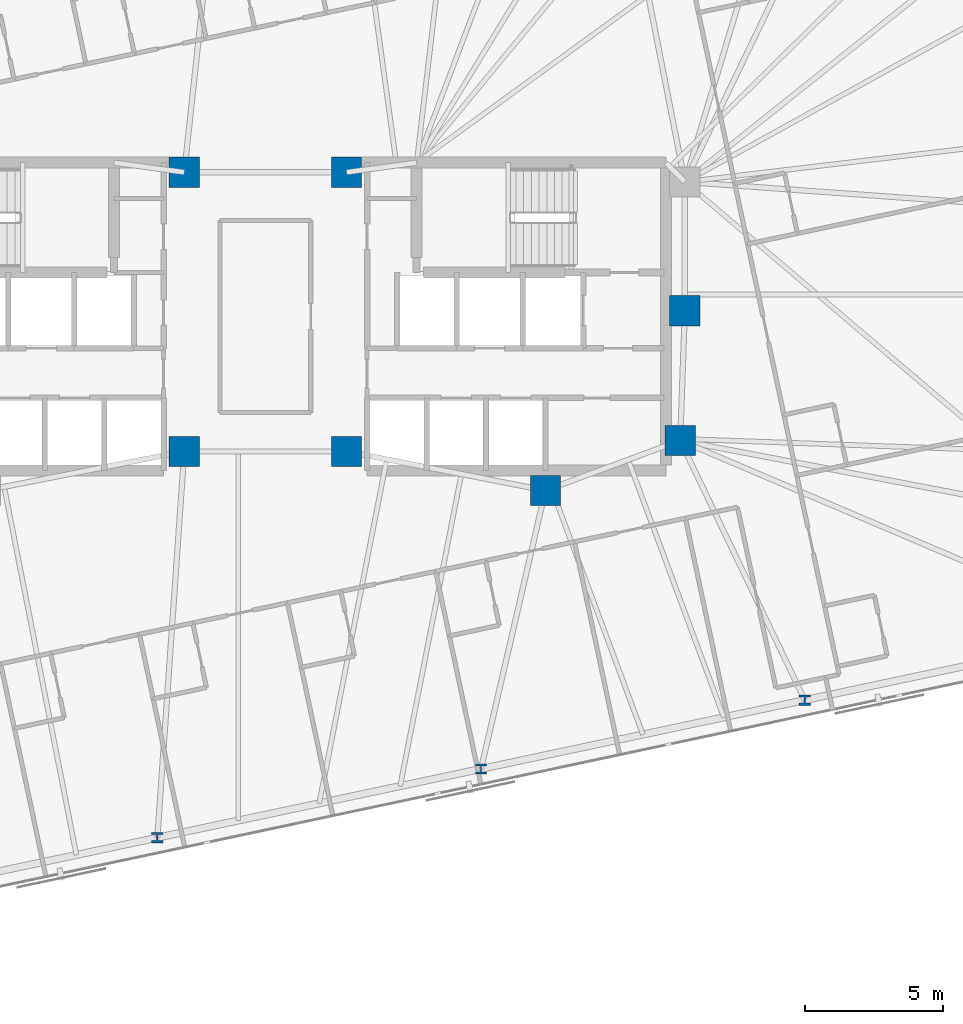
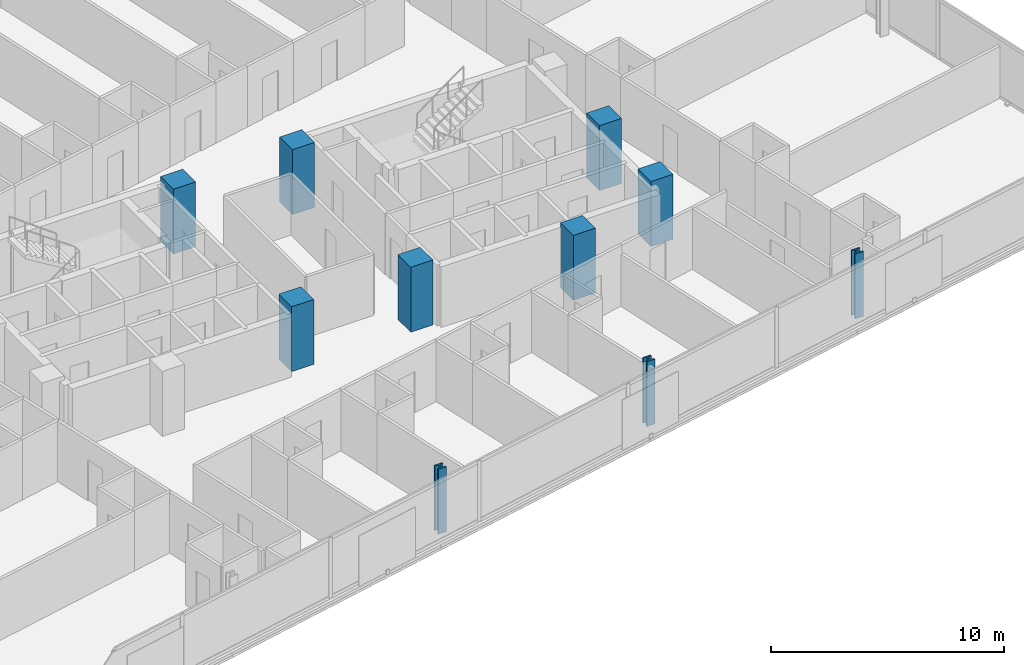
# One storey, part 3 of 20: 10 columns.
"""IFC4 building model written with IfcOpenShell, lengths in metres."""

from ifc_helpers import new_model, si_unit, direction, frame, origin, origin_2d, place, context, subcontext, project, spatial, rectangle, i_section, extrude, material, material_profile, profile_set, type_object, element, save


model = new_model("IFC4")

# Units and contexts
model_context = context("Model", 3, precision=1e-05, world=origin(), true_north=direction((0.0, 1.0)))
body_context = subcontext(model_context, "Body", "Model", "MODEL_VIEW")
ifc_project = project(units=[si_unit("LENGTHUNIT", "METRE"), si_unit("AREAUNIT", "SQUARE_METRE"), si_unit("VOLUMEUNIT", "CUBIC_METRE"), si_unit("PLANEANGLEUNIT", "RADIAN"), si_unit("MASSUNIT", "GRAM", prefix="KILO")], contexts=[model_context])

# Site, building, storey
site_placement = place(None, origin())
site = spatial("IfcSite", under=ifc_project, at=site_placement, CompositionType="ELEMENT")
building_placement = place(site_placement, origin())
building = spatial("IfcBuilding", under=site, at=building_placement, Name="Menara Jurai Vektor", CompositionType="ELEMENT")
storey_placement = place(building_placement, frame((0.0, 0.0, 185.39990234375)))
storey = spatial("IfcBuildingStorey", under=building, at=storey_placement, Name="L48", CompositionType="ELEMENT", Elevation=185.39990234375)

# Columns
ifc_material_1 = material(Name="Concrete C50/60", Category="concrete")
ifc_material_profile_1 = material_profile(ifc_material_1, rectangle(XDim=1.10009765625, YDim=1.10009765625, at=origin_2d()), Name="RC 1100x1100")
ifc_profile_set_1 = profile_set([ifc_material_profile_1], Name="Concrete C50/60")
column_type_1 = type_object("IfcColumnType", Name="STR-COL-RC1100", PredefinedType="COLUMN", material=ifc_profile_set_1)
for number, where, z_axis, x_axis, name in (
    (1, (-2.949951171875, -4.89990234375, 0.0), (0.0, 0.0, 1.0), (1.0, 0.0, 0.0), "Core Spine Column CW-SE L48"),
    (2, (-2.949951171875, 5.25, 0.0), (0.0, 0.0, 1.0), (1.0, 0.0, 0.0), "Core Spine Column CW-NE L48"),
    (3, (15.25, 0.219970703125, 0.0), (0.0, 0.0, 1.0), (1.0, 0.0, 0.0), "Core Spine Column CE-EM L48"),
    (4, (15.080078125, -4.5, 0.0), (0.0, 0.0, 1.0), (1.0, 0.0, 0.0), "Core Spine Column CE-SE L48"),
    (5, (10.179931640625, -6.320068359375, 0.0), (0.0, 0.0, 1.0), (1.0, 0.0, 0.0), "Core Spine Column CE-SM L48"),
    (6, (2.949951171875, -4.89990234375, 0.0), (0.0, 0.0, 1.0), (1.0, 0.0, 0.0), "Core Spine Column CE-SW L48"),
    (7, (2.949951171875, 5.25, 0.0), (0.0, 0.0, 1.0), (1.0, 0.0, 0.0), "Core Spine Column CE-NW L48"),
):
    element("IfcColumn", number, at=place(storey_placement, frame(where, z_axis=z_axis, x_axis=x_axis)), inside=storey, type_object=column_type_1, Name=name, PredefinedType="COLUMN", context=body_context, shape_type="SweptSolid", body=[
        extrude(rectangle(XDim=1.10009765625, YDim=1.10009765625, at=origin_2d()), origin(), (0.0, 0.0, 1.0), 3.400146484375),
    ])
ifc_material_2 = material(Name="Steel S460", Category="steel")
ifc_material_profile_2 = material_profile(ifc_material_2, i_section(OverallWidth=0.408935546875, OverallDepth=0.3740234375, WebThickness=0.048095703125, FlangeThickness=0.076904296875, FilletRadius=0.014892578125, at=origin_2d()), Name="HD 400x634")
ifc_profile_set_2 = profile_set([ifc_material_profile_2], Name="Steel S460")
column_type_2 = type_object("IfcColumnType", Name="STR-EXO-BLK3", PredefinedType="COLUMN", material=ifc_profile_set_2)
for number, where, z_axis, x_axis, name in (
    (8, (-3.928466796875, -18.94287109375, 0.0), (0.0, 0.0, 1.0), (1.0, 0.0, 0.0), "Exoskeleton Column BLK3-S3 L48"),
    (9, (7.83984375, -16.44140625, 0.0), (0.0, 0.0, 1.0), (1.0, 0.0, 0.0), "Exoskeleton Column BLK3-S4 L48"),
    (10, (19.608154296875, -13.940185546875, 0.0), (0.0, 0.0, 1.0), (1.0, 0.0, 0.0), "Exoskeleton Column BLK3-S5 L48"),
):
    element("IfcColumn", number, at=place(storey_placement, frame(where, z_axis=z_axis, x_axis=x_axis)), inside=storey, type_object=column_type_2, Name=name, PredefinedType="COLUMN", context=body_context, shape_type="SweptSolid", body=[
        extrude(i_section(OverallWidth=0.408935546875, OverallDepth=0.3740234375, WebThickness=0.048095703125, FlangeThickness=0.076904296875, FilletRadius=0.014892578125, at=origin_2d()), origin(), (0.0, 0.0, 1.0), 3.400146484375),
    ])

save(model, "model.ifc")
